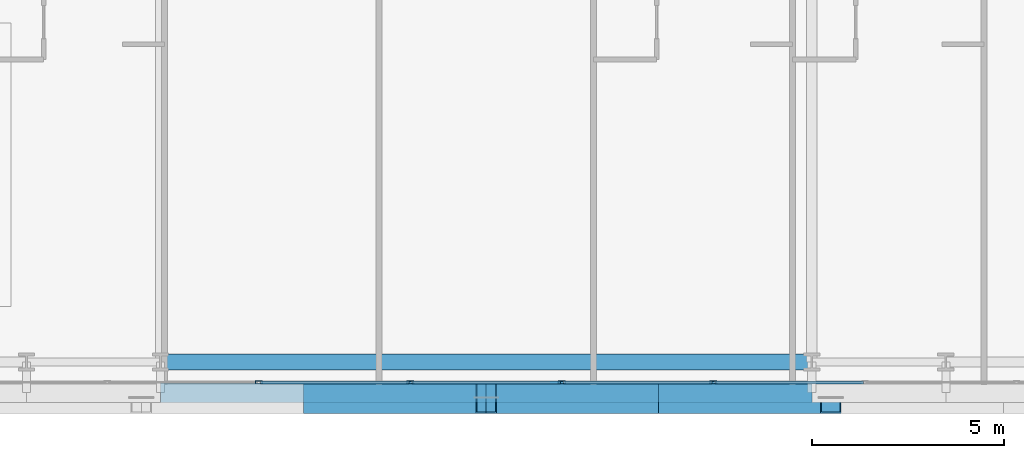
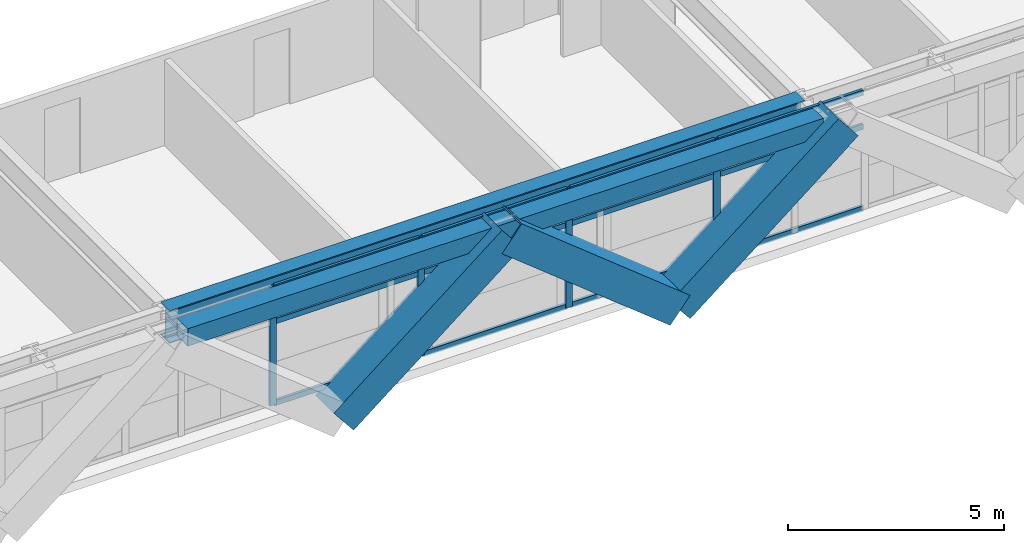
# One storey, part 5 of 38: 19 members, 2 beams, 1 element without a shape of its own.
"""IFC4 building model written with IfcOpenShell, lengths in metres."""

from ifc_helpers import new_model, si_unit, direction, frame, origin, origin_2d, place, context, subcontext, project, spatial, hollow_rectangle, i_section, extrude, source, transform, mapped, material, layer, layer_set, material_profile, profile_set, type_object, element, aggregate, save


model = new_model("IFC4")

# Units and contexts
model_context = context("Model", 3, precision=1e-05, world=origin(), true_north=direction((0.0, 1.0)))
body_context = subcontext(model_context, "Body", "Model", "MODEL_VIEW")
ifc_project = project(units=[si_unit("LENGTHUNIT", "METRE"), si_unit("AREAUNIT", "SQUARE_METRE"), si_unit("VOLUMEUNIT", "CUBIC_METRE"), si_unit("PLANEANGLEUNIT", "RADIAN"), si_unit("MASSUNIT", "GRAM", prefix="KILO")], contexts=[model_context])

# Site, building, storey
site_placement = place(None, origin())
site = spatial("IfcSite", under=ifc_project, at=site_placement, CompositionType="ELEMENT")
building_placement = place(site_placement, origin())
building = spatial("IfcBuilding", under=site, at=building_placement, Name="Ocotamira Hotel", CompositionType="ELEMENT")
storey_placement = place(building_placement, frame((0.0, 0.0, 74.39990234375)))
storey = spatial("IfcBuildingStorey", under=building, at=storey_placement, Name="L18", CompositionType="ELEMENT", Elevation=74.39990234375)

# Beams
ifc_material_1 = material(Name="Steel ASTM A992 Grade 50", Category="steel")
ifc_material_profile_1 = material_profile(ifc_material_1, i_section(OverallWidth=0.41796875, OverallDepth=0.927001953125, WebThickness=0.019287109375, FlangeThickness=0.031982421875, FilletRadius=0.02392578125, at=origin_2d()), Name="W36X231")
ifc_profile_set_1 = profile_set([ifc_material_profile_1], Name="Steel ASTM A992 Grade 50")
beam_type_1 = type_object("IfcBeamType", Name="BM-GIRD-W36X231", PredefinedType="BEAM", material=ifc_profile_set_1)
shared_shape_1 = source(origin(), body_context, "Body", "SweptSolid", [
    extrude(i_section(OverallWidth=0.41796875, OverallDepth=0.927001953125, WebThickness=0.019287109375, FlangeThickness=0.031982421875, FilletRadius=0.02392578125, at=origin_2d()), origin(), (0.0, 0.0, 1.0), 17.0),
])
beam_1_placement = place(storey_placement, frame((23.5, 2.949951171875, 2.88671875), z_axis=(1.0, 0.0, 0.0), x_axis=(0.0, 1.0, 0.0)))
element("IfcBeam", 1, at=beam_1_placement, inside=storey, type_object=beam_type_1, Name="L18 Girder Y2.95 X23.5-40.5", PredefinedType="BEAM", context=body_context, shape_type="MappedRepresentation", body=[
    mapped(shared_shape_1, transform((0.0, 0.0, 0.0), scale=1.0)),
])
ifc_material_2 = material(Name="Steel ASTM A500 Grade C", Category="steel")
ifc_material_profile_2 = material_profile(ifc_material_2, hollow_rectangle(XDim=0.5, YDim=0.5, WallThickness=0.02001953125, at=origin_2d()), Name="HSS500X500X20")
ifc_profile_set_2 = profile_set([ifc_material_profile_2], Name="Steel ASTM A500 Grade C")
beam_type_2 = type_object("IfcBeamType", Name="BM-SPAN-HSS500", PredefinedType="USERDEFINED", material=ifc_profile_set_2)
shared_shape_2 = source(origin(), body_context, "Body", "SweptSolid", [
    extrude(hollow_rectangle(XDim=0.5, YDim=0.5, WallThickness=0.02001953125, at=origin_2d()), origin(), (0.0, 0.0, 1.0), 17.0),
])
beam_2_placement = place(storey_placement, frame((23.5, 2.14990234375, 3.10009765625), z_axis=(1.0, 0.0, 0.0), x_axis=(0.0, 1.0, 0.0)))
element("IfcBeam", 2, at=beam_2_placement, inside=storey, type_object=beam_type_2, Name="L18 Edge Spandrel S X23.5-40.5", ObjectType="SPANDREL", PredefinedType="USERDEFINED", context=body_context, shape_type="MappedRepresentation", body=[
    mapped(shared_shape_2, transform((0.0, 0.0, 0.0), scale=1.0)),
])

# Members
ifc_material_3 = material(Name="Pale-metal coated steel ASTM A913 Grade 65", Category="steel")
ifc_material_profile_3 = material_profile(ifc_material_3, hollow_rectangle(XDim=0.85009765625, YDim=0.85009765625, WallThickness=0.035888671875, at=origin_2d()), Name="BOX850X850X36")
ifc_profile_set_3 = profile_set([ifc_material_profile_3], Name="Pale-metal coated steel ASTM A913 Grade 65")
member_type_1 = type_object("IfcMemberType", Name="MEM-EXO-BOX850", PredefinedType="BRACE", material=ifc_profile_set_3)
shared_shape_3 = source(origin(), body_context, "Body", "SweptSolid", [
    extrude(hollow_rectangle(XDim=0.85009765625, YDim=0.85009765625, WallThickness=0.035888671875, at=origin_2d()), origin(), (0.0, 0.0, 1.0), 5.762939453125),
])
for number, where, z_axis, x_axis, name in (
    (3, (27.5, 2.030029296875, -0.5), (0.780860543151, 0.0, 0.624705380279), (0.0, 1.0, 0.0), "L18 Exoskeleton Diagrid S1.2"),
    (4, (36.5, 2.030029296875, -0.5), (-0.780860543151, 0.0, 0.624705380279), (0.0, -1.0, 0.0), "L18 Exoskeleton Diagrid S2.1"),
    (5, (36.5, 2.030029296875, -0.5), (0.780860543151, 0.0, 0.624705380279), (0.0, 1.0, 0.0), "L18 Exoskeleton Diagrid S2.2"),
):
    element("IfcMember", number, at=place(storey_placement, frame(where, z_axis=z_axis, x_axis=x_axis)), inside=storey, type_object=member_type_1, Name=name, PredefinedType="BRACE", context=body_context, shape_type="MappedRepresentation", body=[
        mapped(shared_shape_3, transform((0.0, 0.0, 0.0), scale=1.0)),
    ])

# Curtain wall, members
ifc_material_4 = material(Name="Anodised pale-metal aluminium and solar glass", Category="aluminium")
ifc_layer = layer(ifc_material_4, 0.179931640625)
ifc_layer_set = layer_set([ifc_layer], Name="Anodised pale-metal aluminium and solar glass")
curtain_wall_type = type_object("IfcCurtainWallType", Name="CW-SYS2-Z1", PredefinedType="NOTDEFINED", material=ifc_layer_set)
curtain_wall_placement = place(storey_placement, origin())
curtain_wall = element("IfcCurtainWall", 6, at=curtain_wall_placement, inside=storey, type_object=curtain_wall_type, Name="L18 Curtain Wall CW-2 CW-L18-S1", PredefinedType="NOTDEFINED")
ifc_material_5 = material(Name="Anodised pale-metal aluminium 6063-T6", Category="aluminium")
ifc_material_profile_4 = material_profile(ifc_material_5, hollow_rectangle(XDim=0.074951171875, YDim=0.14990234375, WallThickness=0.006103515625, at=origin_2d()), Name="HSS150X75X6")
ifc_profile_set_4 = profile_set([ifc_material_profile_4], Name="Anodised pale-metal aluminium 6063-T6")
member_type_2 = type_object("IfcMemberType", Name="CWT-150X75", PredefinedType="USERDEFINED", material=ifc_profile_set_4)
shared_shape_4 = source(origin(), body_context, "Body", "SweptSolid", [
    extrude(hollow_rectangle(XDim=0.074951171875, YDim=0.14990234375, WallThickness=0.006103515625, at=origin_2d()), origin(), (0.0, 0.0, 1.0), 3.87548828125),
])
member_1_placement = place(storey_placement, frame((26.106689453125, 2.419921875, 0.03759765625), z_axis=(1.0, 0.0, 0.0), x_axis=(0.0, 1.0, 0.0)))
member_1 = element("IfcMember", 7, at=member_1_placement, type_object=member_type_2, Name="CW-2 transom 4.1", ObjectType="TRANSOM", PredefinedType="USERDEFINED", context=body_context, shape_type="MappedRepresentation", body=[
    mapped(shared_shape_4, transform((0.0, 0.0, 0.0), scale=1.0)),
])
member_2_placement = place(storey_placement, frame((26.106689453125, 2.419921875, 2.35009765625), z_axis=(1.0, 0.0, 0.0), x_axis=(0.0, 1.0, 0.0)))
member_2 = element("IfcMember", 8, at=member_2_placement, type_object=member_type_2, Name="CW-2 transom 4.2", ObjectType="TRANSOM", PredefinedType="USERDEFINED", context=body_context, shape_type="MappedRepresentation", body=[
    mapped(shared_shape_4, transform((0.0, 0.0, 0.0), scale=1.0)),
])
member_3_placement = place(storey_placement, frame((26.106689453125, 2.419921875, 3.3125), z_axis=(1.0, 0.0, 0.0), x_axis=(0.0, 1.0, 0.0)))
member_3 = element("IfcMember", 9, at=member_3_placement, type_object=member_type_2, Name="CW-2 transom 4.3", ObjectType="TRANSOM", PredefinedType="USERDEFINED", context=body_context, shape_type="MappedRepresentation", body=[
    mapped(shared_shape_4, transform((0.0, 0.0, 0.0), scale=1.0)),
])
member_4_placement = place(storey_placement, frame((30.062255859375, 2.419921875, 0.03759765625), z_axis=(1.0, 0.0, 0.0), x_axis=(0.0, 1.0, 0.0)))
member_4 = element("IfcMember", 10, at=member_4_placement, type_object=member_type_2, Name="CW-2 transom 5.1", ObjectType="TRANSOM", PredefinedType="USERDEFINED", context=body_context, shape_type="MappedRepresentation", body=[
    mapped(shared_shape_4, transform((0.0, 0.0, 0.0), scale=1.0)),
])
member_5_placement = place(storey_placement, frame((30.062255859375, 2.419921875, 2.35009765625), z_axis=(1.0, 0.0, 0.0), x_axis=(0.0, 1.0, 0.0)))
member_5 = element("IfcMember", 11, at=member_5_placement, type_object=member_type_2, Name="CW-2 transom 5.2", ObjectType="TRANSOM", PredefinedType="USERDEFINED", context=body_context, shape_type="MappedRepresentation", body=[
    mapped(shared_shape_4, transform((0.0, 0.0, 0.0), scale=1.0)),
])
member_6_placement = place(storey_placement, frame((30.062255859375, 2.419921875, 3.3125), z_axis=(1.0, 0.0, 0.0), x_axis=(0.0, 1.0, 0.0)))
member_6 = element("IfcMember", 12, at=member_6_placement, type_object=member_type_2, Name="CW-2 transom 5.3", ObjectType="TRANSOM", PredefinedType="USERDEFINED", context=body_context, shape_type="MappedRepresentation", body=[
    mapped(shared_shape_4, transform((0.0, 0.0, 0.0), scale=1.0)),
])
member_7_placement = place(storey_placement, frame((34.017822265625, 2.419921875, 0.03759765625), z_axis=(1.0, 0.0, 0.0), x_axis=(0.0, 1.0, 0.0)))
member_7 = element("IfcMember", 13, at=member_7_placement, type_object=member_type_2, Name="CW-2 transom 6.1", ObjectType="TRANSOM", PredefinedType="USERDEFINED", context=body_context, shape_type="MappedRepresentation", body=[
    mapped(shared_shape_4, transform((0.0, 0.0, 0.0), scale=1.0)),
])
member_8_placement = place(storey_placement, frame((34.017822265625, 2.419921875, 2.35009765625), z_axis=(1.0, 0.0, 0.0), x_axis=(0.0, 1.0, 0.0)))
member_8 = element("IfcMember", 14, at=member_8_placement, type_object=member_type_2, Name="CW-2 transom 6.2", ObjectType="TRANSOM", PredefinedType="USERDEFINED", context=body_context, shape_type="MappedRepresentation", body=[
    mapped(shared_shape_4, transform((0.0, 0.0, 0.0), scale=1.0)),
])
member_9_placement = place(storey_placement, frame((34.017822265625, 2.419921875, 3.3125), z_axis=(1.0, 0.0, 0.0), x_axis=(0.0, 1.0, 0.0)))
member_9 = element("IfcMember", 15, at=member_9_placement, type_object=member_type_2, Name="CW-2 transom 6.3", ObjectType="TRANSOM", PredefinedType="USERDEFINED", context=body_context, shape_type="MappedRepresentation", body=[
    mapped(shared_shape_4, transform((0.0, 0.0, 0.0), scale=1.0)),
])
member_10_placement = place(storey_placement, frame((37.973388671875, 2.419921875, 0.03759765625), z_axis=(1.0, 0.0, 0.0), x_axis=(0.0, 1.0, 0.0)))
member_10 = element("IfcMember", 16, at=member_10_placement, type_object=member_type_2, Name="CW-2 transom 7.1", ObjectType="TRANSOM", PredefinedType="USERDEFINED", context=body_context, shape_type="MappedRepresentation", body=[
    mapped(shared_shape_4, transform((0.0, 0.0, 0.0), scale=1.0)),
])
member_11_placement = place(storey_placement, frame((37.973388671875, 2.419921875, 2.35009765625), z_axis=(1.0, 0.0, 0.0), x_axis=(0.0, 1.0, 0.0)))
member_11 = element("IfcMember", 17, at=member_11_placement, type_object=member_type_2, Name="CW-2 transom 7.2", ObjectType="TRANSOM", PredefinedType="USERDEFINED", context=body_context, shape_type="MappedRepresentation", body=[
    mapped(shared_shape_4, transform((0.0, 0.0, 0.0), scale=1.0)),
])
member_12_placement = place(storey_placement, frame((37.973388671875, 2.419921875, 3.3125), z_axis=(1.0, 0.0, 0.0), x_axis=(0.0, 1.0, 0.0)))
member_12 = element("IfcMember", 18, at=member_12_placement, type_object=member_type_2, Name="CW-2 transom 7.3", ObjectType="TRANSOM", PredefinedType="USERDEFINED", context=body_context, shape_type="MappedRepresentation", body=[
    mapped(shared_shape_4, transform((0.0, 0.0, 0.0), scale=1.0)),
])
ifc_material_profile_5 = material_profile(ifc_material_5, hollow_rectangle(XDim=0.080078125, YDim=0.179931640625, WallThickness=0.006103515625, at=origin_2d()), Name="HSS180X80X6")
ifc_profile_set_5 = profile_set([ifc_material_profile_5], Name="Anodised pale-metal aluminium 6063-T6")
member_type_3 = type_object("IfcMemberType", Name="CWM-180X75", PredefinedType="MULLION", material=ifc_profile_set_5)
shared_shape_5 = source(origin(), body_context, "Body", "SweptSolid", [
    extrude(hollow_rectangle(XDim=0.080078125, YDim=0.179931640625, WallThickness=0.006103515625, at=origin_2d()), origin(), (0.0, 0.0, 1.0), 3.35009765625),
])
member_13_placement = place(storey_placement, frame((26.066650390625, 2.419921875, 0.0), z_axis=(0.0, 0.0, 1.0), x_axis=(0.0, 1.0, 0.0)))
member_13 = element("IfcMember", 19, at=member_13_placement, type_object=member_type_3, Name="CW-2 mullion 4", PredefinedType="MULLION", context=body_context, shape_type="MappedRepresentation", body=[
    mapped(shared_shape_5, transform((0.0, 0.0, 0.0), scale=1.0)),
])
member_14_placement = place(storey_placement, frame((30.022216796875, 2.419921875, 0.0), z_axis=(0.0, 0.0, 1.0), x_axis=(0.0, 1.0, 0.0)))
member_14 = element("IfcMember", 20, at=member_14_placement, type_object=member_type_3, Name="CW-2 mullion 5", PredefinedType="MULLION", context=body_context, shape_type="MappedRepresentation", body=[
    mapped(shared_shape_5, transform((0.0, 0.0, 0.0), scale=1.0)),
])
member_15_placement = place(storey_placement, frame((33.977783203125, 2.419921875, 0.0), z_axis=(0.0, 0.0, 1.0), x_axis=(0.0, 1.0, 0.0)))
member_15 = element("IfcMember", 21, at=member_15_placement, type_object=member_type_3, Name="CW-2 mullion 6", PredefinedType="MULLION", context=body_context, shape_type="MappedRepresentation", body=[
    mapped(shared_shape_5, transform((0.0, 0.0, 0.0), scale=1.0)),
])
member_16_placement = place(storey_placement, frame((37.933349609375, 2.419921875, 0.0), z_axis=(0.0, 0.0, 1.0), x_axis=(0.0, 1.0, 0.0)))
member_16 = element("IfcMember", 22, at=member_16_placement, type_object=member_type_3, Name="CW-2 mullion 7", PredefinedType="MULLION", context=body_context, shape_type="MappedRepresentation", body=[
    mapped(shared_shape_5, transform((0.0, 0.0, 0.0), scale=1.0)),
])
aggregate(curtain_wall, [member_13, member_14, member_15, member_16, member_1, member_2, member_3, member_4, member_5, member_6, member_7, member_8, member_9, member_10, member_11, member_12])

save(model, "model.ifc")
